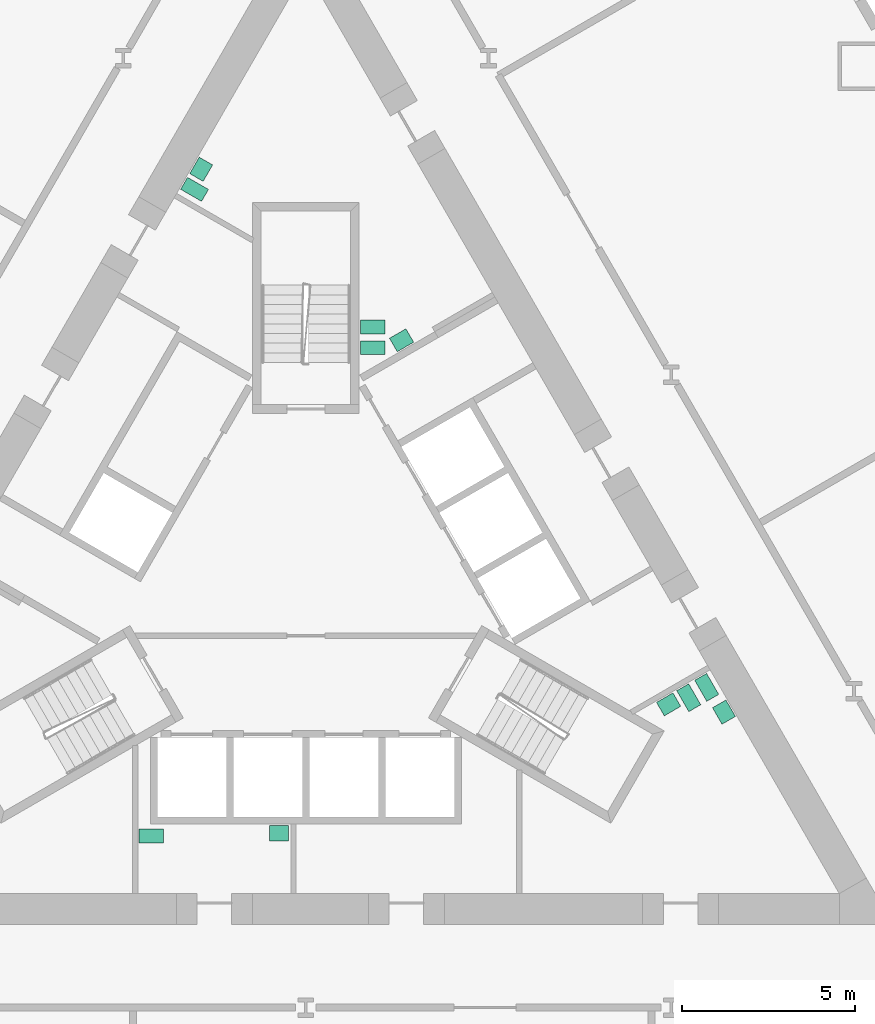
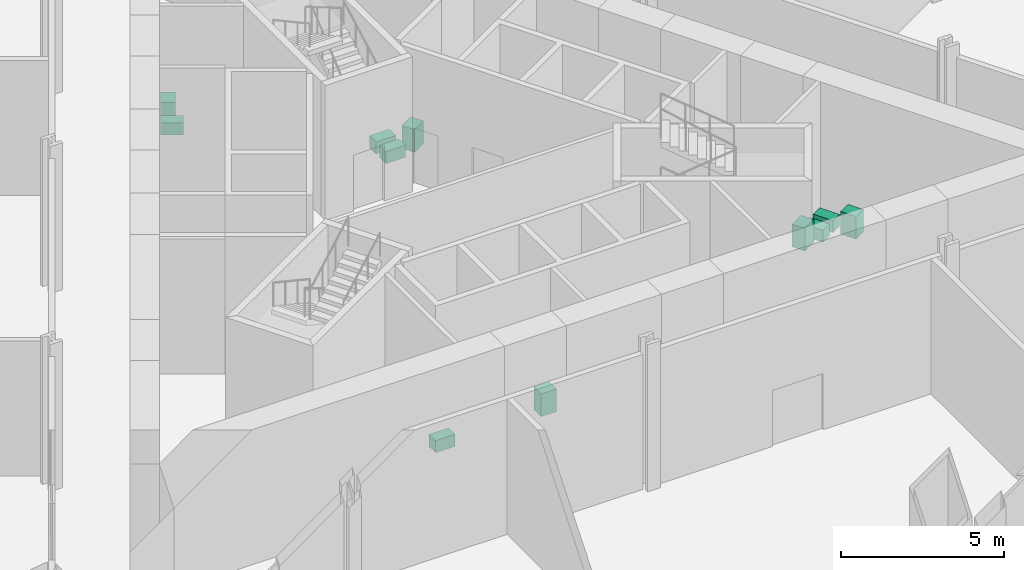
# One storey, part 8 of 9: 11 sanitary terminals.
"""IFC4 building model written with IfcOpenShell, lengths in metres."""

import ifcopenshell
import ifcopenshell.guid

model = None  # the IFC model being written
_history = None  # IfcOwnerHistory: only IFC2X3 demands one
_inside = {}  # id of a spatial element -> (the spatial element, [elements in it])
_under = {}  # id of a project, library or spatial element -> (it, [spatial elements below it])
_declared = {}  # id of a project -> (the project, [libraries it declares])
_typed = {}  # id of a type object -> (the type object, [elements of that type])
_made_of = {}  # id of a material, layer set ... -> (it, [elements and type objects made of it])


def new_model(schema):
    """Start an empty IFC model of exactly this schema.

    Asked for "IFC4X3", IfcOpenShell would pick the latest addendum, in which some entities
    have other attributes; the version numbers below select the first issue.
    IFC2X3 requires an IfcOwnerHistory on every rooted entity: one is made here for all.
    """
    global model, _history
    if schema == "IFC4X3":
        model = ifcopenshell.file(schema_version=(4, 3, 0, 0))
    else:
        model = ifcopenshell.file(schema=schema)
    _inside.clear()
    _under.clear()
    _declared.clear()
    _typed.clear()
    _made_of.clear()
    _history = None
    if model.schema == "IFC2X3":
        org = make("IfcOrganization", Name="unknown")
        user = make(
            "IfcPersonAndOrganization",
            ThePerson=make("IfcPerson", FamilyName="unknown"),
            TheOrganization=org,
        )
        app = make(
            "IfcApplication",
            ApplicationDeveloper=org,
            Version="unknown",
            ApplicationFullName="unknown",
            ApplicationIdentifier="unknown",
        )
        _history = make(
            "IfcOwnerHistory",
            OwningUser=user,
            OwningApplication=app,
            ChangeAction="ADDED",
            CreationDate=0,
        )
    return model


def make(cls, **values):
    """One entity of the class cls with the attributes given. An attribute that is None is left unset."""
    return model.create_entity(
        cls, **{name: value for name, value in values.items() if value is not None}
    )


def rooted(cls, **values):
    """An entity with a GlobalId (a new one), such as an element, a storey or a relation."""
    return make(cls, GlobalId=ifcopenshell.guid.new(), OwnerHistory=_history, **values)


def si_unit(unit_type, name, prefix=None):
    """IfcSIUnit, for example si_unit("LENGTHUNIT", "METRE", prefix="MILLI")."""
    return make("IfcSIUnit", UnitType=unit_type, Prefix=prefix, Name=name)


def assignment(units):
    """IfcUnitAssignment: the units of a project."""
    return None if units is None else make("IfcUnitAssignment", Units=units)


def point(xyz):
    """IfcCartesianPoint."""
    return None if xyz is None else make("IfcCartesianPoint", Coordinates=xyz)


def direction(xyz):
    """IfcDirection."""
    return None if xyz is None else make("IfcDirection", DirectionRatios=xyz)


def frame(location, z_axis=None, x_axis=None):
    """IfcAxis2Placement3D, a coordinate frame: its origin and axes. An axis left out is left unset."""
    return make(
        "IfcAxis2Placement3D",
        Location=point(location),
        Axis=direction(z_axis),
        RefDirection=direction(x_axis),
    )


def frame_2d(location, x_axis=None):
    """IfcAxis2Placement2D, a coordinate frame in the plane: its origin and x axis."""
    return make(
        "IfcAxis2Placement2D", Location=point(location), RefDirection=direction(x_axis)
    )


def origin():
    """The frame at (0, 0, 0) with its axes left unset."""
    return frame((0.0, 0.0, 0.0))


def origin_2d():
    """The frame at (0, 0) in the plane with its x axis left unset."""
    return frame_2d((0.0, 0.0))


def place(relative_to, where):
    """IfcLocalPlacement: puts the frame where relative to a parent placement (None: the world)."""
    return make(
        "IfcLocalPlacement", PlacementRelTo=relative_to, RelativePlacement=where
    )


def context(
    kind, dimensions, precision=None, world=None, true_north=None, identifier=None
):
    """IfcGeometricRepresentationContext, for example the 3D "Model" context."""
    return make(
        "IfcGeometricRepresentationContext",
        ContextIdentifier=identifier,
        ContextType=kind,
        CoordinateSpaceDimension=dimensions,
        Precision=precision,
        WorldCoordinateSystem=world,
        TrueNorth=true_north,
    )


def subcontext(parent, identifier, kind, view, scale=None):
    """IfcGeometricRepresentationSubContext, for example "Body" below "Model"."""
    return make(
        "IfcGeometricRepresentationSubContext",
        ContextIdentifier=identifier,
        ContextType=kind,
        ParentContext=parent,
        TargetScale=scale,
        TargetView=view,
    )


def project(units=None, contexts=None):
    """IfcProject with its units and contexts."""
    return rooted(
        "IfcProject",
        Name="project",
        RepresentationContexts=contexts,
        UnitsInContext=assignment(units),
    )


def spatial(cls, under=None, at=None, **own):
    """A site, building, storey or space (cls), placed at a placement, below another one or the project."""
    s = rooted(cls, ObjectPlacement=at, **own)
    if under is not None:
        _under.setdefault(under.id(), (under, []))[1].append(s)
    return s


def profile(cls, at=None, kind="AREA", **sizes):
    """A parametric profile (cls). Its sizes go by their IFC names, for example OverallWidth=200.0."""
    return make(cls, ProfileType=kind, Position=at, **sizes)


def rectangle(**sizes):
    """IfcRectangleProfileDef."""
    return profile("IfcRectangleProfileDef", **sizes)


def extrude(swept, where, along, depth):
    """IfcExtrudedAreaSolid: the profile swept, set in the frame where, extruded along a direction by depth."""
    return make(
        "IfcExtrudedAreaSolid",
        SweptArea=swept,
        Position=where,
        ExtrudedDirection=direction(along),
        Depth=depth,
    )


def shape(context_of_items, identifier, shape_type, items):
    """IfcShapeRepresentation: the items that make up one representation, for example the "Body"."""
    return make(
        "IfcShapeRepresentation",
        ContextOfItems=context_of_items,
        RepresentationIdentifier=identifier,
        RepresentationType=shape_type,
        Items=items,
    )


def material(Name=None, Category=None):
    """IfcMaterial."""
    return make("IfcMaterial", Name=Name, Category=Category)


def made_of(thing, what):
    """Note that an element or type object is made of a material, layer set ...; save() writes the relation."""
    if what is not None:
        _made_of.setdefault(what.id(), (what, []))[1].append(thing)
    return thing


def type_object(cls, material=None, **own):
    """A type object (cls), such as IfcWallType, which elements share."""
    return made_of(rooted(cls, **own), material)


def element(
    cls,
    number,
    at=None,
    inside=None,
    cuts=None,
    type_object=None,
    material=None,
    context=None,
    identifier="Body",
    shape_type=None,
    held_by="IfcProductDefinitionShape",
    body=None,
    shapes=None,
    **own,
):
    """One element of the class cls, such as IfcWall. Its Tag is "e" and its number.

    at: its placement. inside: the storey or other place that contains it. cuts: it is an
    opening in that element (IfcRelVoidsElement). A single representation is given by context,
    identifier, shape_type and body (its items); several are given by shapes. held_by: the class
    of the entity that holds the representations. save() writes the other relations.
    """
    e = rooted(cls, Tag="e%d" % number, ObjectPlacement=at, **own)
    if body is not None:
        shapes = [shape(context, identifier, shape_type, body)]
    if shapes is not None:
        e.Representation = make(held_by, Representations=shapes)
    if inside is not None:
        _inside.setdefault(inside.id(), (inside, []))[1].append(e)
    if cuts is not None:
        rooted(
            "IfcRelVoidsElement", RelatingBuildingElement=cuts, RelatedOpeningElement=e
        )
    if type_object is not None:
        _typed.setdefault(type_object.id(), (type_object, []))[1].append(e)
    return made_of(e, material)


def aggregate(whole, parts):
    """IfcRelAggregates: a whole, such as a stair, and the parts it consists of."""
    return rooted("IfcRelAggregates", RelatingObject=whole, RelatedObjects=parts)


def save(model, path):
    """Write the relations noted so far, then the file.

    IfcRelAggregates (storeys below a building ...), IfcRelContainedInSpatialStructure (elements
    in a storey), IfcRelDefinesByType, IfcRelAssociatesMaterial and IfcRelDeclares: one each for
    every whole, place, type object, material and project.
    """
    for whole, parts in _under.values():
        aggregate(whole, parts)
    for where, things in _inside.values():
        rooted(
            "IfcRelContainedInSpatialStructure",
            RelatedElements=things,
            RelatingStructure=where,
        )
    for kind, things in _typed.values():
        rooted("IfcRelDefinesByType", RelatedObjects=things, RelatingType=kind)
    for what, things in _made_of.values():
        rooted("IfcRelAssociatesMaterial", RelatedObjects=things, RelatingMaterial=what)
    for by, libraries in _declared.values():
        rooted("IfcRelDeclares", RelatingContext=by, RelatedDefinitions=libraries)
    model.write(path)


model = new_model("IFC4")

# Units and contexts
model_context = context("Model", 3, precision=1e-05, world=origin(), true_north=direction((0.0, 1.0)))
body_context = subcontext(model_context, "Body", "Model", "MODEL_VIEW")
ifc_project = project(units=[si_unit("LENGTHUNIT", "METRE"), si_unit("AREAUNIT", "SQUARE_METRE"), si_unit("VOLUMEUNIT", "CUBIC_METRE"), si_unit("PLANEANGLEUNIT", "RADIAN"), si_unit("MASSUNIT", "GRAM", prefix="KILO")], contexts=[model_context])

# Site, building, storey
site_placement = place(None, origin())
site = spatial("IfcSite", under=ifc_project, at=site_placement, CompositionType="ELEMENT")
building_placement = place(site_placement, origin())
building = spatial("IfcBuilding", under=site, at=building_placement, Name="Cormorant Prow Tower", CompositionType="ELEMENT")
storey_placement = place(building_placement, frame((0.0, 0.0, 15.5)))
storey = spatial("IfcBuildingStorey", under=building, at=storey_placement, Name="L02", CompositionType="ELEMENT", Elevation=15.5)

# Sanitary terminals
ifc_material_1 = material(Name="Vitreous china")
sanitary_terminal_type_1 = type_object("IfcSanitaryTerminalType", Name="Wash basin 550x450", PredefinedType="WASHHANDBASIN", material=ifc_material_1)
for number, where, z_axis, x_axis, name in (
    (1, (2.7705078125, 7.101806640625, 0.0), (0.0, 0.0, 1.0), (0.866034130299, 0.499984884929, 0.0), "Wash basin"),
    (2, (-3.0302734375, 12.051513671875, 0.0), (0.0, 0.0, 1.0), (-0.5, -0.866025403784, 0.0), "Wash basin"),
    (3, (10.50048828125, -3.4375, 0.0), (0.0, 0.0, 1.0), (-0.866034130299, -0.499984884929, 0.0), "Wash basin"),
    (4, (12.10205078125, -3.661376953125, 0.0), (0.0, 0.0, 1.0), (-0.5, 0.866025403784, 0.0), "Wash basin"),
    (5, (-0.7763671875, -7.1708984375, 0.0), (0.0, 0.0, 1.0), (-1.0, 0.0, 0.0), "Wash basin"),
):
    element("IfcSanitaryTerminal", number, at=place(storey_placement, frame(where, z_axis=z_axis, x_axis=x_axis)), inside=storey, type_object=sanitary_terminal_type_1, Name=name, PredefinedType="WASHHANDBASIN", context=body_context, shape_type="SweptSolid", body=[
        extrude(rectangle(XDim=0.550048828125, YDim=0.449951171875, at=origin_2d()), origin(), (0.0, 0.0, 1.0), 0.85009765625),
    ])
ifc_material_2 = material(Name="Vitreous china")
sanitary_terminal_type_2 = type_object("IfcSanitaryTerminalType", Name="Water closet 400x700", PredefinedType="WCSEAT", material=ifc_material_2)
for number, where, z_axis, x_axis, name in (
    (6, (1.93408203125, 6.88671875, 0.0), (0.0, 0.0, 1.0), (0.0, -1.0, 0.0), "Water closet"),
    (7, (-3.221923828125, 11.469482421875, 0.0), (0.0, 0.0, 1.0), (-0.5, -0.866025403784, 0.0), "Water closet"),
    (8, (1.93408203125, 7.48681640625, 0.0), (0.0, 0.0, 1.0), (0.0, -1.0, 0.0), "Water closet"),
    (9, (11.602294921875, -2.94580078125, 0.0), (0.0, 0.0, 1.0), (-0.866034130299, -0.499984884929, 0.0), "Water closet"),
    (10, (11.082763671875, -3.245849609375, 0.0), (0.0, 0.0, 1.0), (-0.866034130299, -0.499984884929, 0.0), "Water closet"),
    (11, (-4.472900390625, -7.24609375, 0.0), (0.0, 0.0, 1.0), (0.0, -1.0, 0.0), "Water closet"),
):
    element("IfcSanitaryTerminal", number, at=place(storey_placement, frame(where, z_axis=z_axis, x_axis=x_axis)), inside=storey, type_object=sanitary_terminal_type_2, Name=name, PredefinedType="WCSEAT", context=body_context, shape_type="SweptSolid", body=[
        extrude(rectangle(XDim=0.39990234375, YDim=0.699951171875, at=origin_2d()), origin(), (0.0, 0.0, 1.0), 0.449951171875),
    ])

save(model, "model.ifc")
